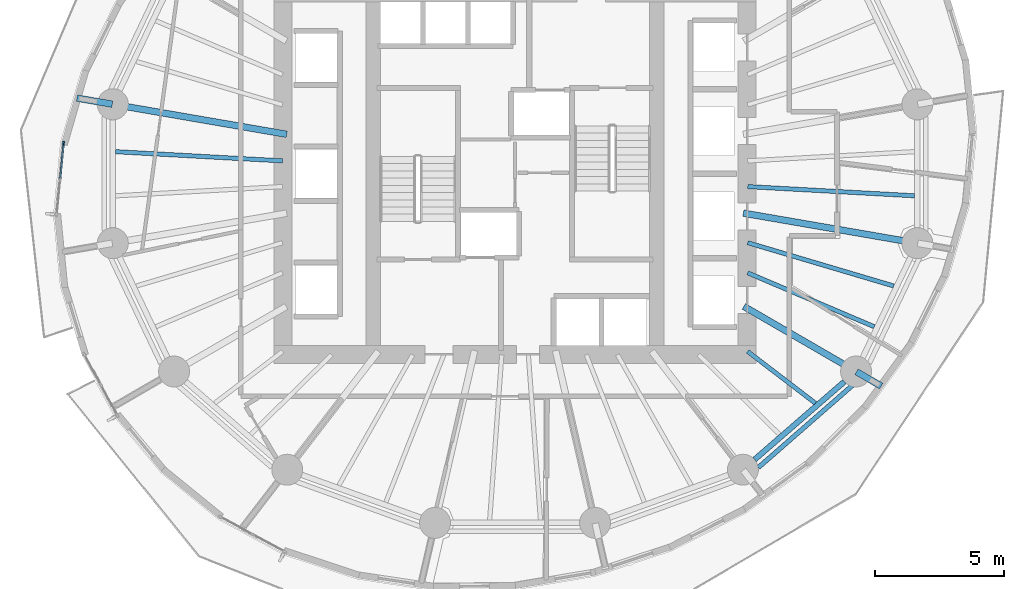
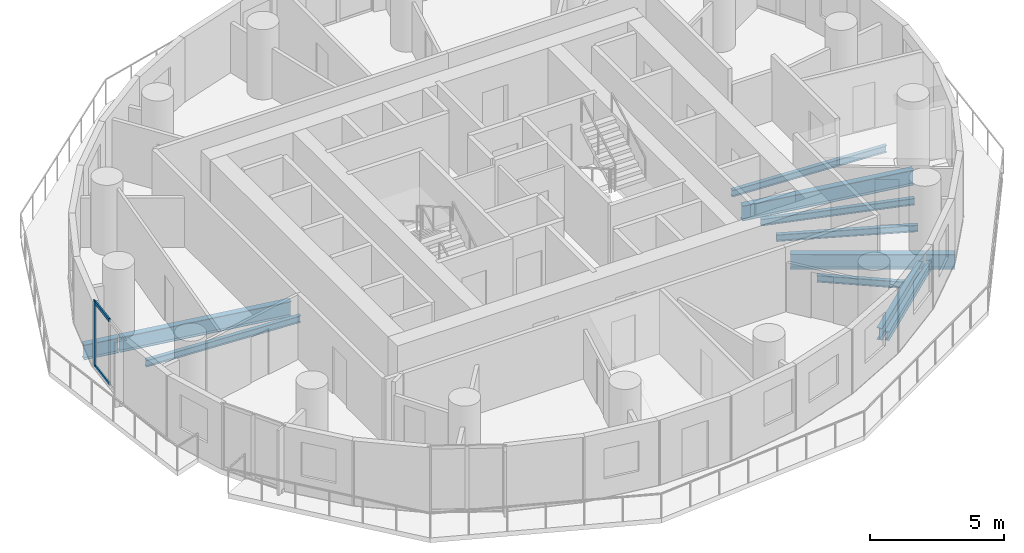
# One storey, part 3 of 14: 12 beams, 3 members, 1 element without a shape of its own.
"""IFC4 building model written with IfcOpenShell, lengths in metres."""

import ifcopenshell
import ifcopenshell.guid

model = None  # the IFC model being written
_history = None  # IfcOwnerHistory: only IFC2X3 demands one
_inside = {}  # id of a spatial element -> (the spatial element, [elements in it])
_under = {}  # id of a project, library or spatial element -> (it, [spatial elements below it])
_declared = {}  # id of a project -> (the project, [libraries it declares])
_typed = {}  # id of a type object -> (the type object, [elements of that type])
_made_of = {}  # id of a material, layer set ... -> (it, [elements and type objects made of it])


def new_model(schema):
    """Start an empty IFC model of exactly this schema.

    Asked for "IFC4X3", IfcOpenShell would pick the latest addendum, in which some entities
    have other attributes; the version numbers below select the first issue.
    IFC2X3 requires an IfcOwnerHistory on every rooted entity: one is made here for all.
    """
    global model, _history
    if schema == "IFC4X3":
        model = ifcopenshell.file(schema_version=(4, 3, 0, 0))
    else:
        model = ifcopenshell.file(schema=schema)
    _inside.clear()
    _under.clear()
    _declared.clear()
    _typed.clear()
    _made_of.clear()
    _history = None
    if model.schema == "IFC2X3":
        org = make("IfcOrganization", Name="unknown")
        user = make(
            "IfcPersonAndOrganization",
            ThePerson=make("IfcPerson", FamilyName="unknown"),
            TheOrganization=org,
        )
        app = make(
            "IfcApplication",
            ApplicationDeveloper=org,
            Version="unknown",
            ApplicationFullName="unknown",
            ApplicationIdentifier="unknown",
        )
        _history = make(
            "IfcOwnerHistory",
            OwningUser=user,
            OwningApplication=app,
            ChangeAction="ADDED",
            CreationDate=0,
        )
    return model


def make(cls, **values):
    """One entity of the class cls with the attributes given. An attribute that is None is left unset."""
    return model.create_entity(
        cls, **{name: value for name, value in values.items() if value is not None}
    )


def rooted(cls, **values):
    """An entity with a GlobalId (a new one), such as an element, a storey or a relation."""
    return make(cls, GlobalId=ifcopenshell.guid.new(), OwnerHistory=_history, **values)


def si_unit(unit_type, name, prefix=None):
    """IfcSIUnit, for example si_unit("LENGTHUNIT", "METRE", prefix="MILLI")."""
    return make("IfcSIUnit", UnitType=unit_type, Prefix=prefix, Name=name)


def assignment(units):
    """IfcUnitAssignment: the units of a project."""
    return None if units is None else make("IfcUnitAssignment", Units=units)


def point(xyz):
    """IfcCartesianPoint."""
    return None if xyz is None else make("IfcCartesianPoint", Coordinates=xyz)


def direction(xyz):
    """IfcDirection."""
    return None if xyz is None else make("IfcDirection", DirectionRatios=xyz)


def frame(location, z_axis=None, x_axis=None):
    """IfcAxis2Placement3D, a coordinate frame: its origin and axes. An axis left out is left unset."""
    return make(
        "IfcAxis2Placement3D",
        Location=point(location),
        Axis=direction(z_axis),
        RefDirection=direction(x_axis),
    )


def frame_2d(location, x_axis=None):
    """IfcAxis2Placement2D, a coordinate frame in the plane: its origin and x axis."""
    return make(
        "IfcAxis2Placement2D", Location=point(location), RefDirection=direction(x_axis)
    )


def origin():
    """The frame at (0, 0, 0) with its axes left unset."""
    return frame((0.0, 0.0, 0.0))


def origin_2d():
    """The frame at (0, 0) in the plane with its x axis left unset."""
    return frame_2d((0.0, 0.0))


def place(relative_to, where):
    """IfcLocalPlacement: puts the frame where relative to a parent placement (None: the world)."""
    return make(
        "IfcLocalPlacement", PlacementRelTo=relative_to, RelativePlacement=where
    )


def context(
    kind, dimensions, precision=None, world=None, true_north=None, identifier=None
):
    """IfcGeometricRepresentationContext, for example the 3D "Model" context."""
    return make(
        "IfcGeometricRepresentationContext",
        ContextIdentifier=identifier,
        ContextType=kind,
        CoordinateSpaceDimension=dimensions,
        Precision=precision,
        WorldCoordinateSystem=world,
        TrueNorth=true_north,
    )


def subcontext(parent, identifier, kind, view, scale=None):
    """IfcGeometricRepresentationSubContext, for example "Body" below "Model"."""
    return make(
        "IfcGeometricRepresentationSubContext",
        ContextIdentifier=identifier,
        ContextType=kind,
        ParentContext=parent,
        TargetScale=scale,
        TargetView=view,
    )


def project(units=None, contexts=None):
    """IfcProject with its units and contexts."""
    return rooted(
        "IfcProject",
        Name="project",
        RepresentationContexts=contexts,
        UnitsInContext=assignment(units),
    )


def spatial(cls, under=None, at=None, **own):
    """A site, building, storey or space (cls), placed at a placement, below another one or the project."""
    s = rooted(cls, ObjectPlacement=at, **own)
    if under is not None:
        _under.setdefault(under.id(), (under, []))[1].append(s)
    return s


def profile(cls, at=None, kind="AREA", **sizes):
    """A parametric profile (cls). Its sizes go by their IFC names, for example OverallWidth=200.0."""
    return make(cls, ProfileType=kind, Position=at, **sizes)


def rectangle(**sizes):
    """IfcRectangleProfileDef."""
    return profile("IfcRectangleProfileDef", **sizes)


def i_section(**sizes):
    """IfcIShapeProfileDef."""
    return profile("IfcIShapeProfileDef", **sizes)


def extrude(swept, where, along, depth):
    """IfcExtrudedAreaSolid: the profile swept, set in the frame where, extruded along a direction by depth."""
    return make(
        "IfcExtrudedAreaSolid",
        SweptArea=swept,
        Position=where,
        ExtrudedDirection=direction(along),
        Depth=depth,
    )


def shape(context_of_items, identifier, shape_type, items):
    """IfcShapeRepresentation: the items that make up one representation, for example the "Body"."""
    return make(
        "IfcShapeRepresentation",
        ContextOfItems=context_of_items,
        RepresentationIdentifier=identifier,
        RepresentationType=shape_type,
        Items=items,
    )


def material(Name=None, Category=None):
    """IfcMaterial."""
    return make("IfcMaterial", Name=Name, Category=Category)


def material_profile(
    of_material, cross_section, Name=None, Category=None, Priority=None
):
    """IfcMaterialProfile: a cross section and its material."""
    return make(
        "IfcMaterialProfile",
        Name=Name,
        Material=of_material,
        Profile=cross_section,
        Priority=Priority,
        Category=Category,
    )


def profile_set(profiles, Name=None, composite=None):
    """IfcMaterialProfileSet."""
    return make(
        "IfcMaterialProfileSet",
        Name=Name,
        MaterialProfiles=profiles,
        CompositeProfile=composite,
    )


def made_of(thing, what):
    """Note that an element or type object is made of a material, layer set ...; save() writes the relation."""
    if what is not None:
        _made_of.setdefault(what.id(), (what, []))[1].append(thing)
    return thing


def type_object(cls, material=None, **own):
    """A type object (cls), such as IfcWallType, which elements share."""
    return made_of(rooted(cls, **own), material)


def element(
    cls,
    number,
    at=None,
    inside=None,
    cuts=None,
    type_object=None,
    material=None,
    context=None,
    identifier="Body",
    shape_type=None,
    held_by="IfcProductDefinitionShape",
    body=None,
    shapes=None,
    **own,
):
    """One element of the class cls, such as IfcWall. Its Tag is "e" and its number.

    at: its placement. inside: the storey or other place that contains it. cuts: it is an
    opening in that element (IfcRelVoidsElement). A single representation is given by context,
    identifier, shape_type and body (its items); several are given by shapes. held_by: the class
    of the entity that holds the representations. save() writes the other relations.
    """
    e = rooted(cls, Tag="e%d" % number, ObjectPlacement=at, **own)
    if body is not None:
        shapes = [shape(context, identifier, shape_type, body)]
    if shapes is not None:
        e.Representation = make(held_by, Representations=shapes)
    if inside is not None:
        _inside.setdefault(inside.id(), (inside, []))[1].append(e)
    if cuts is not None:
        rooted(
            "IfcRelVoidsElement", RelatingBuildingElement=cuts, RelatedOpeningElement=e
        )
    if type_object is not None:
        _typed.setdefault(type_object.id(), (type_object, []))[1].append(e)
    return made_of(e, material)


def aggregate(whole, parts):
    """IfcRelAggregates: a whole, such as a stair, and the parts it consists of."""
    return rooted("IfcRelAggregates", RelatingObject=whole, RelatedObjects=parts)


def save(model, path):
    """Write the relations noted so far, then the file.

    IfcRelAggregates (storeys below a building ...), IfcRelContainedInSpatialStructure (elements
    in a storey), IfcRelDefinesByType, IfcRelAssociatesMaterial and IfcRelDeclares: one each for
    every whole, place, type object, material and project.
    """
    for whole, parts in _under.values():
        aggregate(whole, parts)
    for where, things in _inside.values():
        rooted(
            "IfcRelContainedInSpatialStructure",
            RelatedElements=things,
            RelatingStructure=where,
        )
    for kind, things in _typed.values():
        rooted("IfcRelDefinesByType", RelatedObjects=things, RelatingType=kind)
    for what, things in _made_of.values():
        rooted("IfcRelAssociatesMaterial", RelatedObjects=things, RelatingMaterial=what)
    for by, libraries in _declared.values():
        rooted("IfcRelDeclares", RelatingContext=by, RelatedDefinitions=libraries)
    model.write(path)


model = new_model("IFC4")

# Units and contexts
model_context = context("Model", 3, precision=1e-05, world=origin(), true_north=direction((0.0, 1.0)))
body_context = subcontext(model_context, "Body", "Model", "MODEL_VIEW")
ifc_project = project(units=[si_unit("LENGTHUNIT", "METRE"), si_unit("AREAUNIT", "SQUARE_METRE"), si_unit("VOLUMEUNIT", "CUBIC_METRE"), si_unit("PLANEANGLEUNIT", "RADIAN"), si_unit("MASSUNIT", "GRAM", prefix="KILO")], contexts=[model_context])

# Site, building, storey
site_placement = place(None, origin())
site = spatial("IfcSite", under=ifc_project, at=site_placement, CompositionType="ELEMENT")
building_placement = place(site_placement, origin())
building = spatial("IfcBuilding", under=site, at=building_placement, Name="Veldorim Arch Residences", CompositionType="ELEMENT")
storey_placement = place(building_placement, frame((0.0, 0.0, 93.280029296875)))
storey = spatial("IfcBuildingStorey", under=building, at=storey_placement, Name="L27", CompositionType="ELEMENT", Elevation=93.280029296875)

# Beams
ifc_material_1 = material(Name="Steel S355", Category="steel")
ifc_material_profile_1 = material_profile(ifc_material_1, i_section(OverallWidth=0.2119140625, OverallDepth=0.54443359375, WebThickness=0.0126953125, FlangeThickness=0.021240234375, at=origin_2d()), Name="UB533x210x122")
ifc_profile_set_1 = profile_set([ifc_material_profile_1], Name="Steel S355")
beam_type_1 = type_object("IfcBeamType", Name="Structural Steel Beam UB533x210x122", PredefinedType="BEAM", material=ifc_profile_set_1)
beam_1_placement = place(storey_placement, frame((41.28662109375, 12.9189453125, -0.51220703125), z_axis=(0.755244952556, 0.655442645576, 0.0), x_axis=(-0.655442645576, 0.755244952556, 0.0)))
element("IfcBeam", 1, at=beam_1_placement, inside=storey, type_object=beam_type_1, Name="L27 perimeter ring tie beam 14", PredefinedType="BEAM", context=body_context, shape_type="SweptSolid", body=[
    extrude(i_section(OverallWidth=0.2119140625, OverallDepth=0.54443359375, WebThickness=0.0126953125, FlangeThickness=0.021240234375, at=origin_2d()), origin(), (0.0, 0.0, 1.0), 4.608642578125),
])
ifc_material_2 = material(Name="Steel S355", Category="steel")
ifc_material_profile_2 = material_profile(ifc_material_2, i_section(OverallWidth=0.25439453125, OverallDepth=0.6875, WebThickness=0.01318359375, FlangeThickness=0.02099609375, at=origin_2d()), Name="UB686x254x152")
ifc_profile_set_2 = profile_set([ifc_material_profile_2], Name="Steel S355")
beam_type_2 = type_object("IfcBeamType", Name="Structural Steel GIRDER UB686x254x152", PredefinedType="USERDEFINED", material=ifc_profile_set_2)
beam_2_placement = place(storey_placement, frame((23.147705078125, 25.5283203125, -0.583740234375), z_axis=(-0.985426622718, 0.17010106184, 0.0), x_axis=(-0.17010106184, -0.985426622718, 0.0)))
element("IfcBeam", 2, at=beam_2_placement, inside=storey, type_object=beam_type_2, Name="L27 radial floor girder 08", ObjectType="GIRDER", PredefinedType="USERDEFINED", context=body_context, shape_type="SweptSolid", body=[
    extrude(i_section(OverallWidth=0.25439453125, OverallDepth=0.6875, WebThickness=0.01318359375, FlangeThickness=0.02099609375, at=origin_2d()), origin(), (0.0, 0.0, 1.0), 6.82177734375),
])
beam_3_placement = place(storey_placement, frame((16.3857421875, 26.695556640625, -0.583740234375), z_axis=(-0.985409418186, 0.170200700791, 0.0), x_axis=(-0.170200700791, -0.985409418186, 0.0)))
element("IfcBeam", 3, at=beam_3_placement, inside=storey, type_object=beam_type_2, Name="L27 radial edge cantilever girder 08", ObjectType="GIRDER", PredefinedType="USERDEFINED", context=body_context, shape_type="SweptSolid", body=[
    extrude(i_section(OverallWidth=0.25439453125, OverallDepth=0.6875, WebThickness=0.01318359375, FlangeThickness=0.02099609375, at=origin_2d()), origin(), (0.0, 0.0, 1.0), 1.391357421875),
])
beam_4_placement = place(storey_placement, frame((40.8701171875, 18.85595703125, -0.583740234375), z_axis=(0.865048957682, -0.501687453314, 0.0), x_axis=(0.501687453314, 0.865048957682, 0.0)))
element("IfcBeam", 4, at=beam_4_placement, inside=storey, type_object=beam_type_2, Name="L27 radial floor girder 15", ObjectType="GIRDER", PredefinedType="USERDEFINED", context=body_context, shape_type="SweptSolid", body=[
    extrude(i_section(OverallWidth=0.25439453125, OverallDepth=0.6875, WebThickness=0.01318359375, FlangeThickness=0.02099609375, at=origin_2d()), origin(), (0.0, 0.0, 1.0), 5.009033203125),
])
beam_5_placement = place(storey_placement, frame((45.23779296875, 16.322998046875, -0.583740234375), z_axis=(0.86508299699, -0.501628755474, 0.0), x_axis=(0.501628755474, 0.86508299699, 0.0)))
element("IfcBeam", 5, at=beam_5_placement, inside=storey, type_object=beam_type_2, Name="L27 radial edge cantilever girder 15", ObjectType="GIRDER", PredefinedType="USERDEFINED", context=body_context, shape_type="SweptSolid", body=[
    extrude(i_section(OverallWidth=0.25439453125, OverallDepth=0.6875, WebThickness=0.01318359375, FlangeThickness=0.02099609375, at=origin_2d()), origin(), (0.0, 0.0, 1.0), 1.104248046875),
])
beam_6_placement = place(storey_placement, frame((40.852294921875, 22.4716796875, -0.583740234375), z_axis=(0.985426622718, -0.17010106184, 0.0), x_axis=(0.17010106184, 0.985426622718, 0.0)))
element("IfcBeam", 6, at=beam_6_placement, inside=storey, type_object=beam_type_2, Name="L27 radial floor girder 16", ObjectType="GIRDER", PredefinedType="USERDEFINED", context=body_context, shape_type="SweptSolid", body=[
    extrude(i_section(OverallWidth=0.25439453125, OverallDepth=0.6875, WebThickness=0.01318359375, FlangeThickness=0.02099609375, at=origin_2d()), origin(), (0.0, 0.0, 1.0), 6.82177734375),
])
ifc_material_3 = material(Name="Steel S355", Category="steel")
ifc_material_profile_3 = material_profile(ifc_material_3, i_section(OverallWidth=0.165771484375, OverallDepth=0.306640625, WebThickness=0.006591796875, FlangeThickness=0.01171875, at=origin_2d()), Name="UB305x165x46")
ifc_profile_set_3 = profile_set([ifc_material_profile_3], Name="Steel S355")
beam_type_3 = type_object("IfcBeamType", Name="Structural Steel Joist UB305x165x46", PredefinedType="JOIST", material=ifc_profile_set_3)
beam_7_placement = place(storey_placement, frame((22.97998046875, 24.498291015625, -0.393310546875), z_axis=(-0.99847713097, 0.055167190702, 0.0), x_axis=(-0.055167190702, -0.99847713097, 0.0)))
element("IfcBeam", 7, at=beam_7_placement, inside=storey, type_object=beam_type_3, Name="L27 secondary radial floor joist 08-1", PredefinedType="JOIST", context=body_context, shape_type="SweptSolid", body=[
    extrude(i_section(OverallWidth=0.165771484375, OverallDepth=0.306640625, WebThickness=0.006591796875, FlangeThickness=0.01171875, at=origin_2d()), origin(), (0.0, 0.0, 1.0), 6.474365234375),
])
beam_8_placement = place(storey_placement, frame((41.015869140625, 17.111572265625, -0.393310546875), z_axis=(0.794594763594, -0.60714014994, 0.0), x_axis=(0.60714014994, 0.794594763594, 0.0)))
element("IfcBeam", 8, at=beam_8_placement, inside=storey, type_object=beam_type_3, Name="L27 secondary radial floor joist 14-2", PredefinedType="JOIST", context=body_context, shape_type="SweptSolid", body=[
    extrude(i_section(OverallWidth=0.165771484375, OverallDepth=0.306640625, WebThickness=0.006591796875, FlangeThickness=0.01171875, at=origin_2d()), origin(), (0.0, 0.0, 1.0), 3.30419921875),
])
beam_9_placement = place(storey_placement, frame((41.018310546875, 20.158447265625, -0.393310546875), z_axis=(0.919997395122, -0.391924473552, 0.0), x_axis=(0.391924473552, 0.919997395122, 0.0)))
element("IfcBeam", 9, at=beam_9_placement, inside=storey, type_object=beam_type_3, Name="L27 secondary radial floor joist 15-1", PredefinedType="JOIST", context=body_context, shape_type="SweptSolid", body=[
    extrude(i_section(OverallWidth=0.165771484375, OverallDepth=0.306640625, WebThickness=0.006591796875, FlangeThickness=0.01171875, at=origin_2d()), origin(), (0.0, 0.0, 1.0), 5.334716796875),
])
beam_10_placement = place(storey_placement, frame((41.019287109375, 21.326416015625, -0.393310546875), z_axis=(0.958753061488, -0.284240333324, 0.0), x_axis=(0.284240333324, 0.958753061488, 0.0)))
element("IfcBeam", 10, at=beam_10_placement, inside=storey, type_object=beam_type_3, Name="L27 secondary radial floor joist 15-2", PredefinedType="JOIST", context=body_context, shape_type="SweptSolid", body=[
    extrude(i_section(OverallWidth=0.165771484375, OverallDepth=0.306640625, WebThickness=0.006591796875, FlangeThickness=0.01171875, at=origin_2d()), origin(), (0.0, 0.0, 1.0), 5.906005859375),
])
beam_11_placement = place(storey_placement, frame((41.02001953125, 23.501708984375, -0.393310546875), z_axis=(0.99847713097, -0.055167190702, 0.0), x_axis=(0.055167190702, 0.99847713097, 0.0)))
element("IfcBeam", 11, at=beam_11_placement, inside=storey, type_object=beam_type_3, Name="L27 secondary radial floor joist 16-1", PredefinedType="JOIST", context=body_context, shape_type="SweptSolid", body=[
    extrude(i_section(OverallWidth=0.165771484375, OverallDepth=0.306640625, WebThickness=0.006591796875, FlangeThickness=0.01171875, at=origin_2d()), origin(), (0.0, 0.0, 1.0), 6.474365234375),
])
ifc_material_4 = material(Name="Steel S355", Category="steel")
ifc_material_profile_4 = material_profile(ifc_material_4, i_section(OverallWidth=0.1787109375, OverallDepth=0.409423828125, WebThickness=0.0087890625, FlangeThickness=0.014404296875, at=origin_2d()), Name="UB406x178x67")
ifc_profile_set_4 = profile_set([ifc_material_profile_4], Name="Steel S355")
beam_type_4 = type_object("IfcBeamType", Name="Structural Steel Spandrel UB406x178x67", PredefinedType="SPANDREL", material=ifc_profile_set_4)
beam_12_placement = place(storey_placement, frame((41.4326171875, 12.611572265625, -0.46484375), z_axis=(0.753323239074, 0.65765043714, 0.0), x_axis=(-0.65765043714, 0.753323239074, 0.0)))
element("IfcBeam", 12, at=beam_12_placement, inside=storey, type_object=beam_type_4, Name="L27 perimeter chord spandrel beam 14", PredefinedType="SPANDREL", context=body_context, shape_type="SweptSolid", body=[
    extrude(i_section(OverallWidth=0.1787109375, OverallDepth=0.409423828125, WebThickness=0.0087890625, FlangeThickness=0.014404296875, at=origin_2d()), origin(), (0.0, 0.0, 1.0), 4.879150390625),
])

# Curtain wall, members
ifc_material_5 = material(Name="Aluminium", Category="aluminium")
curtain_wall_type = type_object("IfcCurtainWallType", Name="Zone 2 Solar-Control Unitised Curtain Wall", PredefinedType="NOTDEFINED", material=ifc_material_5)
curtain_wall_placement = place(storey_placement, origin())
curtain_wall = element("IfcCurtainWall", 13, at=curtain_wall_placement, inside=storey, type_object=curtain_wall_type, Name="L27 unitised curtain wall bay 16", PredefinedType="NOTDEFINED")
ifc_material_6 = material(Name="Aluminium", Category="aluminium")
ifc_material_profile_5 = material_profile(ifc_material_6, rectangle(XDim=0.06494140625, YDim=0.1650390625, at=origin_2d()), Name="ALU_MUL_65x165")
ifc_profile_set_5 = profile_set([ifc_material_profile_5], Name="Aluminium")
member_type_1 = type_object("IfcMemberType", Name="Zone 2 Solar-Control Unitised Curtain Wall Mullion 65x165", PredefinedType="MULLION", material=ifc_profile_set_5)
member_1_placement = place(storey_placement, frame((14.49755859375, 25.170654296875, 0.0), z_axis=(0.0, 0.0, 1.0), x_axis=(-0.995292751709, 0.096914077387, 0.0)))
member_1 = element("IfcMember", 14, at=member_1_placement, type_object=member_type_1, Name="CW-Z2 mullion 3", PredefinedType="MULLION", context=body_context, shape_type="SweptSolid", body=[
    extrude(rectangle(XDim=0.06494140625, YDim=0.1650390625, at=origin_2d()), origin(), (0.0, 0.0, 1.0), 2.9599609375),
])
ifc_material_7 = material(Name="Aluminium", Category="aluminium")
ifc_material_profile_6 = material_profile(ifc_material_7, rectangle(XDim=0.06494140625, YDim=0.14501953125, at=origin_2d()), Name="ALU_TRN_65x145")
ifc_profile_set_6 = profile_set([ifc_material_profile_6], Name="Aluminium")
member_type_2 = type_object("IfcMemberType", Name="Zone 2 Solar-Control Unitised Curtain Wall Transom 65x145", PredefinedType="USERDEFINED", material=ifc_profile_set_6)
member_2_placement = place(storey_placement, frame((14.366455078125, 23.8251953125, 0.032470703125), z_axis=(0.096956909459, 0.995288580115, 0.0), x_axis=(-0.995288580115, 0.096956909459, 0.0)))
member_2 = element("IfcMember", 15, at=member_2_placement, type_object=member_type_2, Name="CW-Z2 transom 2.1", ObjectType="TRANSOM", PredefinedType="USERDEFINED", context=body_context, shape_type="SweptSolid", body=[
    extrude(rectangle(XDim=0.06494140625, YDim=0.14501953125, at=origin_2d()), origin(), (0.0, 0.0, 1.0), 1.3193359375),
])
member_3_placement = place(storey_placement, frame((14.366455078125, 23.8251953125, 2.927490234375), z_axis=(0.096956909459, 0.995288580115, 0.0), x_axis=(-0.995288580115, 0.096956909459, 0.0)))
member_3 = element("IfcMember", 16, at=member_3_placement, type_object=member_type_2, Name="CW-Z2 transom 2.2", ObjectType="TRANSOM", PredefinedType="USERDEFINED", context=body_context, shape_type="SweptSolid", body=[
    extrude(rectangle(XDim=0.06494140625, YDim=0.14501953125, at=origin_2d()), origin(), (0.0, 0.0, 1.0), 1.3193359375),
])
aggregate(curtain_wall, [member_1, member_2, member_3])

save(model, "model.ifc")
